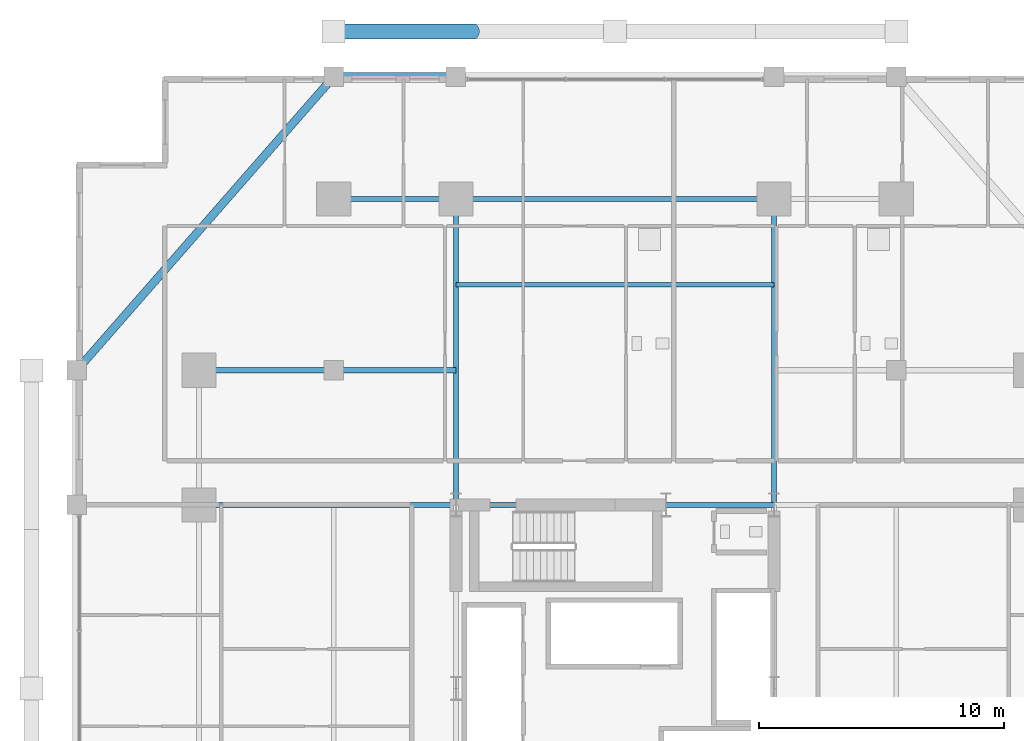
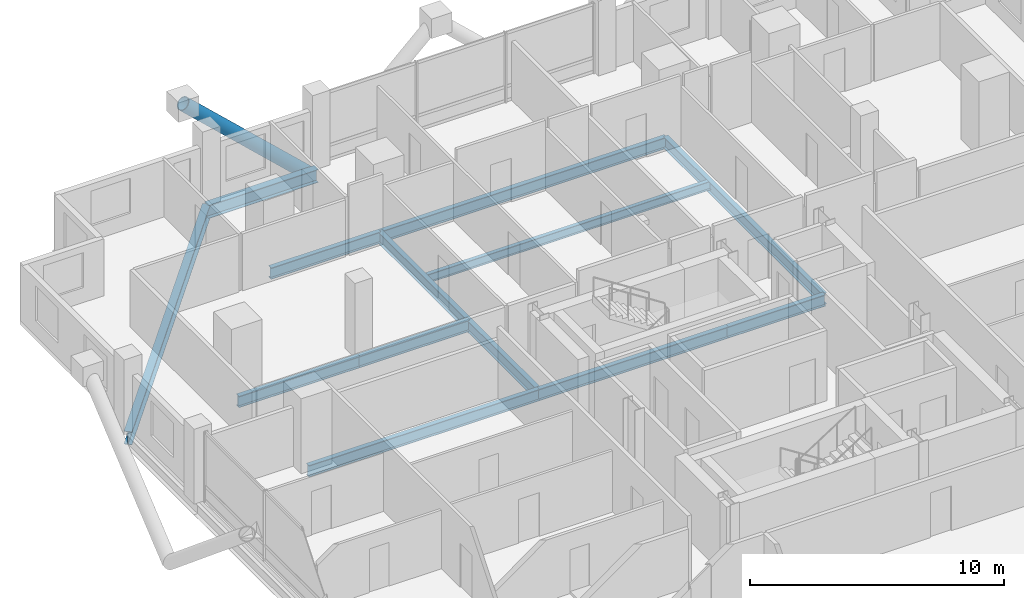
# One storey, part 12 of 23: 12 beams, 1 member.
"""IFC4 building model written with IfcOpenShell, lengths in metres."""

import ifcopenshell
import ifcopenshell.guid

model = None  # the IFC model being written
_history = None  # IfcOwnerHistory: only IFC2X3 demands one
_inside = {}  # id of a spatial element -> (the spatial element, [elements in it])
_under = {}  # id of a project, library or spatial element -> (it, [spatial elements below it])
_declared = {}  # id of a project -> (the project, [libraries it declares])
_typed = {}  # id of a type object -> (the type object, [elements of that type])
_made_of = {}  # id of a material, layer set ... -> (it, [elements and type objects made of it])


def new_model(schema):
    """Start an empty IFC model of exactly this schema.

    Asked for "IFC4X3", IfcOpenShell would pick the latest addendum, in which some entities
    have other attributes; the version numbers below select the first issue.
    IFC2X3 requires an IfcOwnerHistory on every rooted entity: one is made here for all.
    """
    global model, _history
    if schema == "IFC4X3":
        model = ifcopenshell.file(schema_version=(4, 3, 0, 0))
    else:
        model = ifcopenshell.file(schema=schema)
    _inside.clear()
    _under.clear()
    _declared.clear()
    _typed.clear()
    _made_of.clear()
    _history = None
    if model.schema == "IFC2X3":
        org = make("IfcOrganization", Name="unknown")
        user = make(
            "IfcPersonAndOrganization",
            ThePerson=make("IfcPerson", FamilyName="unknown"),
            TheOrganization=org,
        )
        app = make(
            "IfcApplication",
            ApplicationDeveloper=org,
            Version="unknown",
            ApplicationFullName="unknown",
            ApplicationIdentifier="unknown",
        )
        _history = make(
            "IfcOwnerHistory",
            OwningUser=user,
            OwningApplication=app,
            ChangeAction="ADDED",
            CreationDate=0,
        )
    return model


def make(cls, **values):
    """One entity of the class cls with the attributes given. An attribute that is None is left unset."""
    return model.create_entity(
        cls, **{name: value for name, value in values.items() if value is not None}
    )


def rooted(cls, **values):
    """An entity with a GlobalId (a new one), such as an element, a storey or a relation."""
    return make(cls, GlobalId=ifcopenshell.guid.new(), OwnerHistory=_history, **values)


def si_unit(unit_type, name, prefix=None):
    """IfcSIUnit, for example si_unit("LENGTHUNIT", "METRE", prefix="MILLI")."""
    return make("IfcSIUnit", UnitType=unit_type, Prefix=prefix, Name=name)


def assignment(units):
    """IfcUnitAssignment: the units of a project."""
    return None if units is None else make("IfcUnitAssignment", Units=units)


def point(xyz):
    """IfcCartesianPoint."""
    return None if xyz is None else make("IfcCartesianPoint", Coordinates=xyz)


def direction(xyz):
    """IfcDirection."""
    return None if xyz is None else make("IfcDirection", DirectionRatios=xyz)


def frame(location, z_axis=None, x_axis=None):
    """IfcAxis2Placement3D, a coordinate frame: its origin and axes. An axis left out is left unset."""
    return make(
        "IfcAxis2Placement3D",
        Location=point(location),
        Axis=direction(z_axis),
        RefDirection=direction(x_axis),
    )


def frame_2d(location, x_axis=None):
    """IfcAxis2Placement2D, a coordinate frame in the plane: its origin and x axis."""
    return make(
        "IfcAxis2Placement2D", Location=point(location), RefDirection=direction(x_axis)
    )


def origin():
    """The frame at (0, 0, 0) with its axes left unset."""
    return frame((0.0, 0.0, 0.0))


def origin_2d():
    """The frame at (0, 0) in the plane with its x axis left unset."""
    return frame_2d((0.0, 0.0))


def place(relative_to, where):
    """IfcLocalPlacement: puts the frame where relative to a parent placement (None: the world)."""
    return make(
        "IfcLocalPlacement", PlacementRelTo=relative_to, RelativePlacement=where
    )


def context(
    kind, dimensions, precision=None, world=None, true_north=None, identifier=None
):
    """IfcGeometricRepresentationContext, for example the 3D "Model" context."""
    return make(
        "IfcGeometricRepresentationContext",
        ContextIdentifier=identifier,
        ContextType=kind,
        CoordinateSpaceDimension=dimensions,
        Precision=precision,
        WorldCoordinateSystem=world,
        TrueNorth=true_north,
    )


def subcontext(parent, identifier, kind, view, scale=None):
    """IfcGeometricRepresentationSubContext, for example "Body" below "Model"."""
    return make(
        "IfcGeometricRepresentationSubContext",
        ContextIdentifier=identifier,
        ContextType=kind,
        ParentContext=parent,
        TargetScale=scale,
        TargetView=view,
    )


def project(units=None, contexts=None):
    """IfcProject with its units and contexts."""
    return rooted(
        "IfcProject",
        Name="project",
        RepresentationContexts=contexts,
        UnitsInContext=assignment(units),
    )


def spatial(cls, under=None, at=None, **own):
    """A site, building, storey or space (cls), placed at a placement, below another one or the project."""
    s = rooted(cls, ObjectPlacement=at, **own)
    if under is not None:
        _under.setdefault(under.id(), (under, []))[1].append(s)
    return s


def profile(cls, at=None, kind="AREA", **sizes):
    """A parametric profile (cls). Its sizes go by their IFC names, for example OverallWidth=200.0."""
    return make(cls, ProfileType=kind, Position=at, **sizes)


def hollow_circle(**sizes):
    """IfcCircleHollowProfileDef."""
    return profile("IfcCircleHollowProfileDef", **sizes)


def i_section(**sizes):
    """IfcIShapeProfileDef."""
    return profile("IfcIShapeProfileDef", **sizes)


def extrude(swept, where, along, depth):
    """IfcExtrudedAreaSolid: the profile swept, set in the frame where, extruded along a direction by depth."""
    return make(
        "IfcExtrudedAreaSolid",
        SweptArea=swept,
        Position=where,
        ExtrudedDirection=direction(along),
        Depth=depth,
    )


def shape(context_of_items, identifier, shape_type, items):
    """IfcShapeRepresentation: the items that make up one representation, for example the "Body"."""
    return make(
        "IfcShapeRepresentation",
        ContextOfItems=context_of_items,
        RepresentationIdentifier=identifier,
        RepresentationType=shape_type,
        Items=items,
    )


def material(Name=None, Category=None):
    """IfcMaterial."""
    return make("IfcMaterial", Name=Name, Category=Category)


def material_profile(
    of_material, cross_section, Name=None, Category=None, Priority=None
):
    """IfcMaterialProfile: a cross section and its material."""
    return make(
        "IfcMaterialProfile",
        Name=Name,
        Material=of_material,
        Profile=cross_section,
        Priority=Priority,
        Category=Category,
    )


def profile_set(profiles, Name=None, composite=None):
    """IfcMaterialProfileSet."""
    return make(
        "IfcMaterialProfileSet",
        Name=Name,
        MaterialProfiles=profiles,
        CompositeProfile=composite,
    )


def made_of(thing, what):
    """Note that an element or type object is made of a material, layer set ...; save() writes the relation."""
    if what is not None:
        _made_of.setdefault(what.id(), (what, []))[1].append(thing)
    return thing


def type_object(cls, material=None, **own):
    """A type object (cls), such as IfcWallType, which elements share."""
    return made_of(rooted(cls, **own), material)


def element(
    cls,
    number,
    at=None,
    inside=None,
    cuts=None,
    type_object=None,
    material=None,
    context=None,
    identifier="Body",
    shape_type=None,
    held_by="IfcProductDefinitionShape",
    body=None,
    shapes=None,
    **own,
):
    """One element of the class cls, such as IfcWall. Its Tag is "e" and its number.

    at: its placement. inside: the storey or other place that contains it. cuts: it is an
    opening in that element (IfcRelVoidsElement). A single representation is given by context,
    identifier, shape_type and body (its items); several are given by shapes. held_by: the class
    of the entity that holds the representations. save() writes the other relations.
    """
    e = rooted(cls, Tag="e%d" % number, ObjectPlacement=at, **own)
    if body is not None:
        shapes = [shape(context, identifier, shape_type, body)]
    if shapes is not None:
        e.Representation = make(held_by, Representations=shapes)
    if inside is not None:
        _inside.setdefault(inside.id(), (inside, []))[1].append(e)
    if cuts is not None:
        rooted(
            "IfcRelVoidsElement", RelatingBuildingElement=cuts, RelatedOpeningElement=e
        )
    if type_object is not None:
        _typed.setdefault(type_object.id(), (type_object, []))[1].append(e)
    return made_of(e, material)


def aggregate(whole, parts):
    """IfcRelAggregates: a whole, such as a stair, and the parts it consists of."""
    return rooted("IfcRelAggregates", RelatingObject=whole, RelatedObjects=parts)


def save(model, path):
    """Write the relations noted so far, then the file.

    IfcRelAggregates (storeys below a building ...), IfcRelContainedInSpatialStructure (elements
    in a storey), IfcRelDefinesByType, IfcRelAssociatesMaterial and IfcRelDeclares: one each for
    every whole, place, type object, material and project.
    """
    for whole, parts in _under.values():
        aggregate(whole, parts)
    for where, things in _inside.values():
        rooted(
            "IfcRelContainedInSpatialStructure",
            RelatedElements=things,
            RelatingStructure=where,
        )
    for kind, things in _typed.values():
        rooted("IfcRelDefinesByType", RelatedObjects=things, RelatingType=kind)
    for what, things in _made_of.values():
        rooted("IfcRelAssociatesMaterial", RelatedObjects=things, RelatingMaterial=what)
    for by, libraries in _declared.values():
        rooted("IfcRelDeclares", RelatingContext=by, RelatedDefinitions=libraries)
    model.write(path)


model = new_model("IFC4")

# Units and contexts
model_context = context("Model", 3, precision=1e-05, world=origin(), true_north=direction((0.0, 1.0)))
body_context = subcontext(model_context, "Body", "Model", "MODEL_VIEW")
ifc_project = project(units=[si_unit("LENGTHUNIT", "METRE"), si_unit("AREAUNIT", "SQUARE_METRE"), si_unit("VOLUMEUNIT", "CUBIC_METRE"), si_unit("PLANEANGLEUNIT", "RADIAN"), si_unit("MASSUNIT", "GRAM", prefix="KILO")], contexts=[model_context])

# Site, building, storey
site_placement = place(None, origin())
site = spatial("IfcSite", under=ifc_project, at=site_placement, CompositionType="ELEMENT")
building_placement = place(site_placement, origin())
building = spatial("IfcBuilding", under=site, at=building_placement, Name="Barlavira Tower and Art Museum", CompositionType="ELEMENT")
storey_placement = place(building_placement, frame((0.0, 0.0, 57.60009765625)))
storey = spatial("IfcBuildingStorey", under=building, at=storey_placement, Name="L13", CompositionType="ELEMENT", Elevation=57.60009765625)

# Member
ifc_material = material(Name="Steel S355", Category="steel")
ifc_material_profile_1 = material_profile(ifc_material, hollow_circle(Radius=0.304931640625, WallThickness=0.028076171875, at=origin_2d()), Name="CHS 610.0x28.0")
ifc_profile_set_1 = profile_set([ifc_material_profile_1], Name="Steel S355")
member_type = type_object("IfcMemberType", Name="Pale-Metal Exoskeleton Diagrid Tube CHS 610x28 Steel S355", PredefinedType="BRACE", material=ifc_profile_set_1)
member_placement = place(storey_placement, frame((-5.75, 26.85009765625, -1.920166015625), z_axis=(-0.728934650808, 0.0, 0.684583285548), x_axis=(0.0, -1.0, 0.0)))
element("IfcMember", 1, at=member_placement, inside=storey, type_object=member_type, Name="L13 Exoskeleton Diagrid Tube N", PredefinedType="BRACE", context=body_context, shape_type="SweptSolid", body=[
    extrude(hollow_circle(Radius=0.304931640625, WallThickness=0.028076171875, at=origin_2d()), origin(), (0.0, 0.0, 1.0), 7.88818359375),
])

# Beams
ifc_material_profile_2 = material_profile(ifc_material, i_section(OverallWidth=0.327880859375, OverallDepth=0.62890625, WebThickness=0.013916015625, FlangeThickness=0.021484375, at=origin_2d()), Name="W610x174.0")
ifc_profile_set_2 = profile_set([ifc_material_profile_2], Name="Steel S355")
beam_type_1 = type_object("IfcBeamType", Name="Perimeter Spandrel Edge Beam W610x174 Steel S355", PredefinedType="SPANDREL", material=ifc_profile_set_2)
beam_1_placement = place(storey_placement, frame((-11.5, 25.0, -0.53466796875), z_axis=(1.0, 0.0, 0.0), x_axis=(0.0, 1.0, 0.0)))
element("IfcBeam", 2, at=beam_1_placement, inside=storey, type_object=beam_type_1, Name="L13 Spandrel 11", PredefinedType="SPANDREL", context=body_context, shape_type="SweptSolid", body=[
    extrude(i_section(OverallWidth=0.327880859375, OverallDepth=0.62890625, WebThickness=0.013916015625, FlangeThickness=0.021484375, at=origin_2d()), origin(), (0.0, 0.0, 1.0), 5.0),
])
beam_2_placement = place(storey_placement, frame((-11.5, 25.0, -0.53466796875), z_axis=(-0.658504607869, -0.752576694707, 0.0), x_axis=(0.752576694707, -0.658504607869, 0.0)))
element("IfcBeam", 3, at=beam_2_placement, inside=storey, type_object=beam_type_1, Name="L13 Spandrel 12", PredefinedType="SPANDREL", context=body_context, shape_type="SweptSolid", body=[
    extrude(i_section(OverallWidth=0.327880859375, OverallDepth=0.62890625, WebThickness=0.013916015625, FlangeThickness=0.021484375, at=origin_2d()), origin(), (0.0, 0.0, 1.0), 15.9453125),
])
ifc_material_profile_3 = material_profile(ifc_material, i_section(OverallWidth=0.180908203125, OverallDepth=0.4169921875, WebThickness=0.010986328125, FlangeThickness=0.018310546875, at=origin_2d()), Name="W410x85.0")
ifc_profile_set_3 = profile_set([ifc_material_profile_3], Name="Steel S355")
beam_type_2 = type_object("IfcBeamType", Name="Zone 1 Composite Floor Joist W410x85 Steel S355", PredefinedType="JOIST", material=ifc_profile_set_3)
beam_3_placement = place(storey_placement, frame((-6.5, 16.5, -0.4287109375), z_axis=(1.0, 0.0, 0.0), x_axis=(0.0, 1.0, 0.0)))
element("IfcBeam", 4, at=beam_3_placement, inside=storey, type_object=beam_type_2, Name="L13 Joist C2", PredefinedType="JOIST", context=body_context, shape_type="SweptSolid", body=[
    extrude(i_section(OverallWidth=0.180908203125, OverallDepth=0.4169921875, WebThickness=0.010986328125, FlangeThickness=0.018310546875, at=origin_2d()), origin(), (0.0, 0.0, 1.0), 13.0),
])
ifc_material_profile_4 = material_profile(ifc_material, i_section(OverallWidth=0.214111328125, OverallDepth=0.549072265625, WebThickness=0.0146484375, FlangeThickness=0.023681640625, at=origin_2d()), Name="W530x138.0")
ifc_profile_set_4 = profile_set([ifc_material_profile_4], Name="Steel S355")
beam_type_3 = type_object("IfcBeamType", Name="Zone 1 Primary Floor Girder W530x138 Steel S355", PredefinedType="BEAM", material=ifc_profile_set_4)
beam_4_placement = place(storey_placement, frame((-6.5, 7.5, -0.49462890625), z_axis=(1.0, 0.0, 0.0), x_axis=(0.0, 1.0, 0.0)))
element("IfcBeam", 5, at=beam_4_placement, inside=storey, type_object=beam_type_3, Name="L13 Girder C-N1", PredefinedType="BEAM", context=body_context, shape_type="SweptSolid", body=[
    extrude(i_section(OverallWidth=0.214111328125, OverallDepth=0.549072265625, WebThickness=0.0146484375, FlangeThickness=0.023681640625, at=origin_2d()), origin(), (0.0, 0.0, 1.0), 8.580078125),
])
beam_5_placement = place(storey_placement, frame((2.080078125, 7.5, -0.49462890625), z_axis=(1.0, 0.0, 0.0), x_axis=(0.0, 1.0, 0.0)))
element("IfcBeam", 6, at=beam_5_placement, inside=storey, type_object=beam_type_3, Name="L13 Girder C-N2", PredefinedType="BEAM", context=body_context, shape_type="SweptSolid", body=[
    extrude(i_section(OverallWidth=0.214111328125, OverallDepth=0.549072265625, WebThickness=0.0146484375, FlangeThickness=0.023681640625, at=origin_2d()), origin(), (0.0, 0.0, 1.0), 4.419921875),
])
beam_6_placement = place(storey_placement, frame((-11.5, 20.0, -0.49462890625), z_axis=(1.0, 0.0, 0.0), x_axis=(0.0, 1.0, 0.0)))
element("IfcBeam", 7, at=beam_6_placement, inside=storey, type_object=beam_type_3, Name="L13 Girder M-N1", PredefinedType="BEAM", context=body_context, shape_type="SweptSolid", body=[
    extrude(i_section(OverallWidth=0.214111328125, OverallDepth=0.549072265625, WebThickness=0.0146484375, FlangeThickness=0.023681640625, at=origin_2d()), origin(), (0.0, 0.0, 1.0), 5.0),
])
beam_7_placement = place(storey_placement, frame((-6.5, 20.0, -0.49462890625), z_axis=(1.0, 0.0, 0.0), x_axis=(0.0, 1.0, 0.0)))
element("IfcBeam", 8, at=beam_7_placement, inside=storey, type_object=beam_type_3, Name="L13 Girder M-N2", PredefinedType="BEAM", context=body_context, shape_type="SweptSolid", body=[
    extrude(i_section(OverallWidth=0.214111328125, OverallDepth=0.549072265625, WebThickness=0.0146484375, FlangeThickness=0.023681640625, at=origin_2d()), origin(), (0.0, 0.0, 1.0), 13.0),
])
for number, where, z_axis, x_axis, name in (
    (9, (-6.5, 7.5, -0.49462890625), (0.0, 1.0, 0.0), (-1.0, 0.0, 0.0), "L13 Girder R-N1"),
    (10, (6.5, 7.5, -0.49462890625), (0.0, 1.0, 0.0), (-1.0, 0.0, 0.0), "L13 Girder R-N2"),
):
    element("IfcBeam", number, at=place(storey_placement, frame(where, z_axis=z_axis, x_axis=x_axis)), inside=storey, type_object=beam_type_3, Name=name, PredefinedType="BEAM", context=body_context, shape_type="SweptSolid", body=[
        extrude(i_section(OverallWidth=0.214111328125, OverallDepth=0.549072265625, WebThickness=0.0146484375, FlangeThickness=0.023681640625, at=origin_2d()), origin(), (0.0, 0.0, 1.0), 12.5),
    ])
beam_8_placement = place(storey_placement, frame((-17.0, 7.5, -0.49462890625), z_axis=(1.0, 0.0, 0.0), x_axis=(0.0, 1.0, 0.0)))
element("IfcBeam", 11, at=beam_8_placement, inside=storey, type_object=beam_type_3, Name="L13 Girder R-W2", PredefinedType="BEAM", context=body_context, shape_type="SweptSolid", body=[
    extrude(i_section(OverallWidth=0.214111328125, OverallDepth=0.549072265625, WebThickness=0.0146484375, FlangeThickness=0.023681640625, at=origin_2d()), origin(), (0.0, 0.0, 1.0), 10.5),
])
beam_9_placement = place(storey_placement, frame((-17.0, 13.0, -0.49462890625), z_axis=(1.0, 0.0, 0.0), x_axis=(0.0, 1.0, 0.0)))
element("IfcBeam", 12, at=beam_9_placement, inside=storey, type_object=beam_type_3, Name="L13 Girder I-N1", PredefinedType="BEAM", context=body_context, shape_type="SweptSolid", body=[
    extrude(i_section(OverallWidth=0.214111328125, OverallDepth=0.549072265625, WebThickness=0.0146484375, FlangeThickness=0.023681640625, at=origin_2d()), origin(), (0.0, 0.0, 1.0), 5.5),
])
beam_10_placement = place(storey_placement, frame((-11.5, 13.0, -0.49462890625), z_axis=(1.0, 0.0, 0.0), x_axis=(0.0, 1.0, 0.0)))
element("IfcBeam", 13, at=beam_10_placement, inside=storey, type_object=beam_type_3, Name="L13 Girder I-N2", PredefinedType="BEAM", context=body_context, shape_type="SweptSolid", body=[
    extrude(i_section(OverallWidth=0.214111328125, OverallDepth=0.549072265625, WebThickness=0.0146484375, FlangeThickness=0.023681640625, at=origin_2d()), origin(), (0.0, 0.0, 1.0), 5.0),
])

save(model, "model.ifc")
